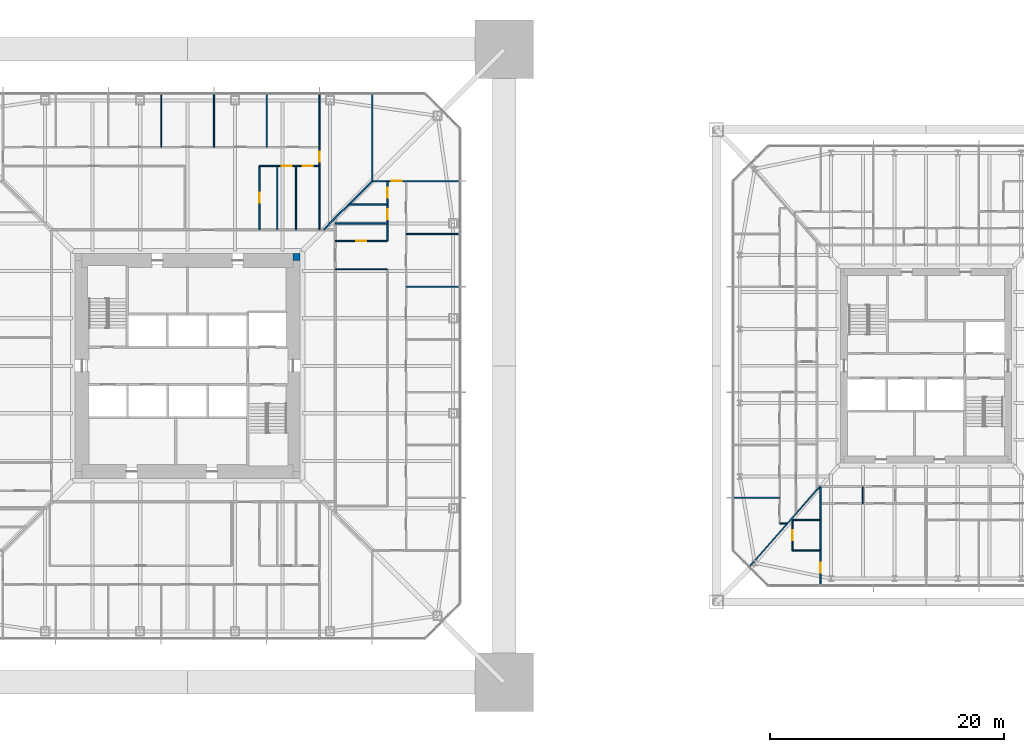
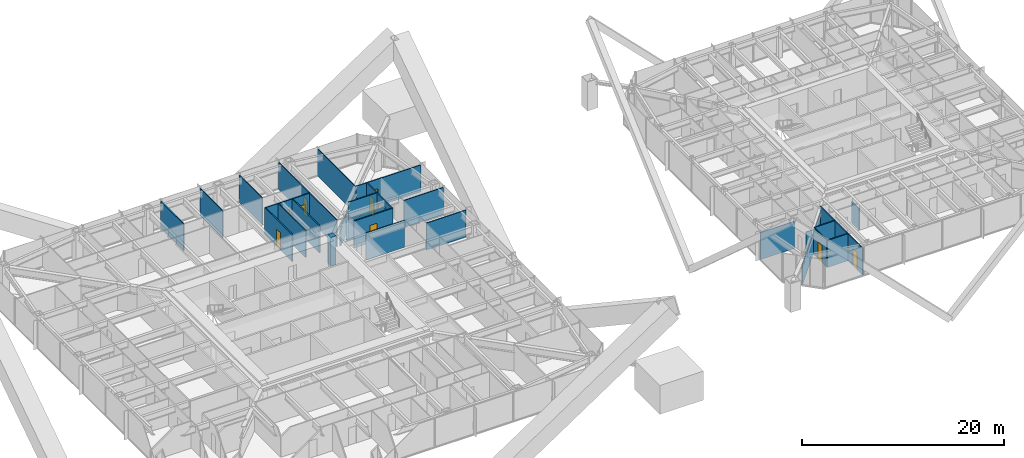
# One storey, part 18 of 27: 27 walls, 10 doors, 10 openings.
"""IFC4 building model written with IfcOpenShell, lengths in metres."""

from ifc_helpers import new_model, si_unit, direction, frame, frame_2d, origin, place, context, subcontext, project, spatial, rectangle, extrude, material, layer, layer_set, type_object, element, fill, save


model = new_model("IFC4")

# Units and contexts
model_context = context("Model", 3, precision=1e-05, world=origin(), true_north=direction((0.0, 1.0)))
body_context = subcontext(model_context, "Body", "Model", "MODEL_VIEW")
ifc_project = project(units=[si_unit("LENGTHUNIT", "METRE"), si_unit("AREAUNIT", "SQUARE_METRE"), si_unit("VOLUMEUNIT", "CUBIC_METRE"), si_unit("PLANEANGLEUNIT", "RADIAN"), si_unit("MASSUNIT", "GRAM", prefix="KILO")], contexts=[model_context])

# Site, building, storey
site_placement = place(None, origin())
site = spatial("IfcSite", under=ifc_project, at=site_placement, CompositionType="ELEMENT")
building_placement = place(site_placement, origin())
building = spatial("IfcBuilding", under=site, at=building_placement, Name="Iwan Alto Co-Living Towers", CompositionType="ELEMENT")
storey_placement = place(building_placement, frame((0.0, 0.0, 25.5)))
storey = spatial("IfcBuildingStorey", under=building, at=storey_placement, Name="L06", CompositionType="ELEMENT", Elevation=25.5)

# Walls
ifc_material_1 = material(Name="Gypsum board")
ifc_layer_1 = layer(ifc_material_1, 0.012451171875, Name="Board", Category="Finish")
ifc_material_2 = material(Name="Steel ASTM A1003 ST33H cold-formed studs", Category="steel")
ifc_layer_2 = layer(ifc_material_2, 0.074951171875, Name="Studs", Category="Framing")
ifc_layer_3 = layer(ifc_material_1, 0.012451171875, Name="Board", Category="Finish")
ifc_layer_set_1 = layer_set([ifc_layer_1, ifc_layer_2, ifc_layer_3], Name="PARTITION 100")
wall_type_1 = type_object("IfcWallType", Name="PARTITION 100", PredefinedType="PARTITIONING", material=ifc_layer_set_1)
wall_1_placement = place(storey_placement, frame((50.5, -13.449951171875, 0.0), z_axis=(0.0, 0.0, 1.0), x_axis=(1.0, 0.0, 0.0)))
element("IfcWall", 1, at=wall_1_placement, inside=storey, type_object=wall_type_1, Name="Partition L06", PredefinedType="PARTITIONING", context=body_context, shape_type="SweptSolid", body=[
    extrude(rectangle(XDim=0.6640625, YDim=0.10009765625, at=frame_2d((0.33203125, 0.0))), origin(), (0.0, 0.0, 1.0), 3.27001953125),
])
wall_2_placement = place(storey_placement, frame((46.56005859375, -11.25, 0.0), z_axis=(0.0, 0.0, 1.0), x_axis=(1.0, 0.0, 0.0)))
element("IfcWall", 2, at=wall_2_placement, inside=storey, type_object=wall_type_1, Name="Partition L06", PredefinedType="PARTITIONING", context=body_context, shape_type="SweptSolid", body=[
    extrude(rectangle(XDim=3.93994140625, YDim=0.10009765625, at=frame_2d((1.969970703125, 0.0))), origin(), (0.0, 0.0, 1.0), 3.27001953125),
])
wall_3_placement = place(storey_placement, frame((18.64990234375, 6.75, 0.0), z_axis=(0.0, 0.0, 1.0), x_axis=(1.0, 0.0, 0.0)))
element("IfcWall", 3, at=wall_3_placement, inside=storey, type_object=wall_type_1, Name="Partition L06", PredefinedType="PARTITIONING", context=body_context, shape_type="SweptSolid", body=[
    extrude(rectangle(XDim=4.5400390625, YDim=0.10009765625, at=frame_2d((2.27001953125, 0.0))), origin(), (0.0, 0.0, 1.0), 3.27001953125),
])
wall_4_placement = place(storey_placement, frame((12.60009765625, 8.25, 0.0), z_axis=(0.0, 0.0, 1.0), x_axis=(1.0, 0.0, 0.0)))
element("IfcWall", 4, at=wall_4_placement, inside=storey, type_object=wall_type_1, Name="Partition L06", PredefinedType="PARTITIONING", context=body_context, shape_type="SweptSolid", body=[
    extrude(rectangle(XDim=4.449951171875, YDim=0.10009765625, at=frame_2d((2.22509765625, 0.0))), origin(), (0.0, 0.0, 1.0), 3.27001953125),
])
wall_5_placement = place(storey_placement, frame((18.64990234375, 11.25, 0.0), z_axis=(0.0, 0.0, 1.0), x_axis=(1.0, 0.0, 0.0)))
element("IfcWall", 5, at=wall_5_placement, inside=storey, type_object=wall_type_1, Name="Partition L06", PredefinedType="PARTITIONING", context=body_context, shape_type="SweptSolid", body=[
    extrude(rectangle(XDim=4.5400390625, YDim=0.10009765625, at=frame_2d((2.27001953125, 0.0))), origin(), (0.0, 0.0, 1.0), 3.27001953125),
])

# Wall, opening, door
wall_6_placement = place(storey_placement, frame((15.75, 15.75, 0.0), z_axis=(0.0, 0.0, 1.0), x_axis=(1.0, 0.0, 0.0)))
wall_6 = element("IfcWall", 6, at=wall_6_placement, inside=storey, type_object=wall_type_1, Name="Partition L06", PredefinedType="PARTITIONING", context=body_context, shape_type="SweptSolid", body=[
    extrude(rectangle(XDim=7.43994140625, YDim=0.10009765625, at=frame_2d((3.719970703125, 0.0))), origin(), (0.0, 0.0, 1.0), 3.27001953125),
])
opening_1_placement = place(wall_6_placement, frame((1.675048828125, 0.0, 0.0)))
opening_1 = element("IfcOpeningElement", 7, at=opening_1_placement, cuts=wall_6, Name="Opening D2", PredefinedType="OPENING", context=body_context, shape_type="SweptSolid", body=[
    extrude(rectangle(XDim=0.85009765625, YDim=2.10009765625, at=frame_2d((0.425048828125, 1.050048828125))), frame((0.0, 0.06005859375, 0.0), z_axis=(0.0, -1.0, 0.0), x_axis=(1.0, 0.0, 0.0)), (0.0, 0.0, 1.0), 0.1201171875),
])
ifc_material_3 = material(Name="Timber leaf in steel frame", Category="steel")
door_type = type_object("IfcDoorType", Name="ROOM DOOR 850X2100", OperationType="SINGLE_SWING_LEFT", PredefinedType="DOOR", material=ifc_material_3)
door_1_placement = place(opening_1_placement, frame((0.85009765625, 0.0, 0.0), z_axis=(0.0, 0.0, 1.0), x_axis=(-1.0, 0.0, 0.0)))
door_1 = element("IfcDoor", 8, at=door_1_placement, inside=storey, type_object=door_type, Name="Shared kitchen and lounge door L06", OperationType="SINGLE_SWING_RIGHT", OverallHeight=2.10009765625, OverallWidth=0.85009765625, PredefinedType="DOOR", context=body_context, shape_type="SweptSolid", body=[
    extrude(rectangle(XDim=0.85009765625, YDim=2.10009765625, at=frame_2d((0.425048828125, 1.050048828125))), frame((0.0, 0.02490234375, 0.0), z_axis=(0.0, -1.0, 0.0), x_axis=(1.0, 0.0, 0.0)), (0.0, 0.0, 1.0), 0.050048828125),
])
fill(opening_1, door_1)

# Walls
wall_7_placement = place(storey_placement, frame((47.944091796875, -17.10888671875, 0.0), z_axis=(0.0, 0.0, 1.0), x_axis=(0.660638210404, 0.750704439146, 0.0)))
element("IfcWall", 9, at=wall_7_placement, inside=storey, type_object=wall_type_1, Name="Partition L06", PredefinedType="PARTITIONING", context=body_context, shape_type="SweptSolid", body=[
    extrude(rectangle(XDim=9.06982421875, YDim=0.10009765625, at=frame_2d((4.534912109375, 0.0))), origin(), (0.0, 0.0, 1.0), 2.42919921875),
])
wall_8_placement = place(storey_placement, frame((57.60009765625, -11.75, 0.0), z_axis=(0.0, 0.0, 1.0), x_axis=(0.0, 1.0, 0.0)))
element("IfcWall", 10, at=wall_8_placement, inside=storey, type_object=wall_type_1, Name="Partition L06", PredefinedType="PARTITIONING", context=body_context, shape_type="SweptSolid", body=[
    extrude(rectangle(XDim=1.449951171875, YDim=0.10009765625, at=frame_2d((0.72509765625, 0.0))), origin(), (0.0, 0.0, 1.0), 2.586669921875),
])
wall_9_placement = place(storey_placement, frame((15.75, 15.75, 0.0), z_axis=(0.0, 0.0, 1.0), x_axis=(0.0, 1.0, 0.0)))
element("IfcWall", 11, at=wall_9_placement, inside=storey, type_object=wall_type_1, Name="Partition L06", PredefinedType="PARTITIONING", context=body_context, shape_type="SweptSolid", body=[
    extrude(rectangle(XDim=7.43994140625, YDim=0.10009765625, at=frame_2d((3.719970703125, 0.0))), origin(), (0.0, 0.0, 1.0), 3.27001953125),
])

# Wall, opening, door
wall_10_placement = place(storey_placement, frame((11.25, 11.60009765625, 0.0), z_axis=(0.0, 0.0, 1.0), x_axis=(0.0, 1.0, 0.0)))
wall_10 = element("IfcWall", 12, at=wall_10_placement, inside=storey, type_object=wall_type_1, Name="Partition L06", PredefinedType="PARTITIONING", context=body_context, shape_type="SweptSolid", body=[
    extrude(rectangle(XDim=11.58984375, YDim=0.10009765625, at=frame_2d((5.794921875, 0.0))), origin(), (0.0, 0.0, 1.0), 3.27001953125),
])
opening_2_placement = place(wall_10_placement, frame((5.824951171875, 0.0, 0.0)))
opening_2 = element("IfcOpeningElement", 13, at=opening_2_placement, cuts=wall_10, Name="Opening D2", PredefinedType="OPENING", context=body_context, shape_type="SweptSolid", body=[
    extrude(rectangle(XDim=0.85009765625, YDim=2.10009765625, at=frame_2d((0.425048828125, 1.050048828125))), frame((0.0, 0.06005859375, 0.0), z_axis=(0.0, -1.0, 0.0), x_axis=(1.0, 0.0, 0.0)), (0.0, 0.0, 1.0), 0.1201171875),
])
door_2_placement = place(opening_2_placement, origin())
door_2 = element("IfcDoor", 14, at=door_2_placement, inside=storey, type_object=door_type, Name="Seminar room door L06", OperationType="SINGLE_SWING_LEFT", OverallHeight=2.10009765625, OverallWidth=0.85009765625, PredefinedType="DOOR", context=body_context, shape_type="SweptSolid", body=[
    extrude(rectangle(XDim=0.85009765625, YDim=2.10009765625, at=frame_2d((0.425048828125, 1.050048828125))), frame((0.0, 0.02490234375, 0.0), z_axis=(0.0, -1.0, 0.0), x_axis=(1.0, 0.0, 0.0)), (0.0, 0.0, 1.0), 0.050048828125),
])
fill(opening_2, door_2)

# Walls
for number, where, z_axis, x_axis, name in (
    (15, (6.75, 18.64990234375, 0.0), (0.0, 0.0, 1.0), (0.0, 1.0, 0.0), "Partition L06"),
    (16, (2.25, 18.64990234375, 0.0), (0.0, 0.0, 1.0), (0.0, 1.0, 0.0), "Partition L06"),
    (17, (-2.25, 18.64990234375, 0.0), (0.0, 0.0, 1.0), (0.0, 1.0, 0.0), "Partition L06"),
):
    element("IfcWall", number, at=place(storey_placement, frame(where, z_axis=z_axis, x_axis=x_axis)), inside=storey, type_object=wall_type_1, Name=name, PredefinedType="PARTITIONING", context=body_context, shape_type="SweptSolid", body=[
        extrude(rectangle(XDim=4.5400390625, YDim=0.10009765625, at=frame_2d((2.27001953125, 0.0))), origin(), (0.0, 0.0, 1.0), 3.27001953125),
    ])
ifc_material_4 = material(Name="Concrete f'c 70 MPa", Category="concrete")
ifc_layer_4 = layer(ifc_material_4, 0.60009765625)
ifc_layer_set_2 = layer_set([ifc_layer_4], Name="T1 CORE CORNER FILL 600")
wall_type_2 = type_object("IfcWallType", Name="T1 CORE CORNER FILL 600", PredefinedType="SOLIDWALL", material=ifc_layer_set_2)
wall_11_placement = place(storey_placement, frame((9.0, 9.300048828125, 0.0), z_axis=(0.0, 0.0, 1.0), x_axis=(1.0, 0.0, 0.0)))
element("IfcWall", 18, at=wall_11_placement, inside=storey, type_object=wall_type_2, Name="T1 core corner NE L06", PredefinedType="SOLIDWALL", context=body_context, shape_type="SweptSolid", body=[
    extrude(rectangle(XDim=0.60009765625, YDim=0.60009765625, at=frame_2d((0.300048828125, 0.0))), origin(), (0.0, 0.0, 1.0), 3.5),
])
ifc_material_5 = material(Name="Cement board")
ifc_layer_5 = layer(ifc_material_5, 0.012451171875, Name="Board", Category="Finish")
ifc_layer_6 = layer(ifc_material_2, 0.094970703125, Name="Studs", Category="Framing")
ifc_layer_7 = layer(ifc_material_5, 0.012451171875, Name="Board", Category="Finish")
ifc_layer_set_3 = layer_set([ifc_layer_5, ifc_layer_6, ifc_layer_7], Name="WET AREA PARTITION 120")
wall_type_3 = type_object("IfcWallType", Name="WET AREA PARTITION 120", PredefinedType="PARTITIONING", material=ifc_layer_set_3)
for number, where, z_axis, x_axis, name in (
    (19, (51.60009765625, -15.75, 0.0), (0.0, 0.0, 1.0), (1.0, 0.0, 0.0), "Partition L06"),
    (20, (51.60009765625, -13.14990234375, 0.0), (0.0, 0.0, 1.0), (1.0, 0.0, 0.0), "Partition L06"),
):
    element("IfcWall", number, at=place(storey_placement, frame(where, z_axis=z_axis, x_axis=x_axis)), inside=storey, type_object=wall_type_3, Name=name, PredefinedType="PARTITIONING", context=body_context, shape_type="SweptSolid", body=[
        extrude(rectangle(XDim=2.39990234375, YDim=0.1201171875, at=frame_2d((1.199951171875, 0.0))), origin(), (0.0, 0.0, 1.0), 3.27001953125),
    ])

# Wall, opening, door
wall_12_placement = place(storey_placement, frame((12.60009765625, 10.64990234375, 0.0), z_axis=(0.0, 0.0, 1.0), x_axis=(1.0, 0.0, 0.0)))
wall_12 = element("IfcWall", 21, at=wall_12_placement, inside=storey, type_object=wall_type_3, Name="Partition L06", PredefinedType="PARTITIONING", context=body_context, shape_type="SweptSolid", body=[
    extrude(rectangle(XDim=4.449951171875, YDim=0.1201171875, at=frame_2d((2.22509765625, 0.0))), origin(), (0.0, 0.0, 1.0), 3.27001953125),
])
opening_3_placement = place(wall_12_placement, frame((1.800048828125, 0.0, 0.0)))
opening_3 = element("IfcOpeningElement", 22, at=opening_3_placement, cuts=wall_12, Name="Opening D2", PredefinedType="OPENING", context=body_context, shape_type="SweptSolid", body=[
    extrude(rectangle(XDim=0.85009765625, YDim=2.10009765625, at=frame_2d((0.425048828125, 1.050048828125))), frame((0.0, 0.070068359375, 0.0), z_axis=(0.0, -1.0, 0.0), x_axis=(1.0, 0.0, 0.0)), (0.0, 0.0, 1.0), 0.14013671875),
])
door_3_placement = place(opening_3_placement, frame((0.85009765625, 0.0, 0.0), z_axis=(0.0, 0.0, 1.0), x_axis=(-1.0, 0.0, 0.0)))
door_3 = element("IfcDoor", 23, at=door_3_placement, inside=storey, type_object=door_type, Name="Bathroom door L06", OperationType="SINGLE_SWING_RIGHT", OverallHeight=2.10009765625, OverallWidth=0.85009765625, PredefinedType="DOOR", context=body_context, shape_type="SweptSolid", body=[
    extrude(rectangle(XDim=0.85009765625, YDim=2.10009765625, at=frame_2d((0.425048828125, 1.050048828125))), frame((0.0, 0.02490234375, 0.0), z_axis=(0.0, -1.0, 0.0), x_axis=(1.0, 0.0, 0.0)), (0.0, 0.0, 1.0), 0.050048828125),
])
fill(opening_3, door_3)

# Walls
wall_13_placement = place(storey_placement, frame((12.60009765625, 12.14990234375, 0.0), z_axis=(0.0, 0.0, 1.0), x_axis=(1.0, 0.0, 0.0)))
element("IfcWall", 24, at=wall_13_placement, inside=storey, type_object=wall_type_3, Name="Partition L06", PredefinedType="PARTITIONING", context=body_context, shape_type="SweptSolid", body=[
    extrude(rectangle(XDim=4.449951171875, YDim=0.1201171875, at=frame_2d((2.22509765625, 0.0))), origin(), (0.0, 0.0, 1.0), 2.508056640625),
])
wall_14_placement = place(storey_placement, frame((13.75, 13.75, 0.0), z_axis=(0.0, 0.0, 1.0), x_axis=(1.0, 0.0, 0.0)))
element("IfcWall", 25, at=wall_14_placement, inside=storey, type_object=wall_type_3, Name="Partition L06", PredefinedType="PARTITIONING", context=body_context, shape_type="SweptSolid", body=[
    extrude(rectangle(XDim=3.300048828125, YDim=0.1201171875, at=frame_2d((1.64990234375, 0.0))), origin(), (0.0, 0.0, 1.0), 3.27001953125),
])

# Wall, openings, doors
wall_15_placement = place(storey_placement, frame((6.14990234375, 17.050048828125, 0.0), z_axis=(0.0, 0.0, 1.0), x_axis=(1.0, 0.0, 0.0)))
wall_15 = element("IfcWall", 26, at=wall_15_placement, inside=storey, type_object=wall_type_3, Name="Partition L06", PredefinedType="PARTITIONING", context=body_context, shape_type="SweptSolid", body=[
    extrude(rectangle(XDim=5.10009765625, YDim=0.1201171875, at=frame_2d((2.550048828125, 0.0))), origin(), (0.0, 0.0, 1.0), 3.27001953125),
])
opening_4_placement = place(wall_15_placement, frame((3.675048828125, 0.0, 0.0)))
opening_4 = element("IfcOpeningElement", 27, at=opening_4_placement, cuts=wall_15, Name="Opening D2", PredefinedType="OPENING", context=body_context, shape_type="SweptSolid", body=[
    extrude(rectangle(XDim=0.85009765625, YDim=2.10009765625, at=frame_2d((0.425048828125, 1.050048828125))), frame((0.0, 0.070068359375, 0.0), z_axis=(0.0, -1.0, 0.0), x_axis=(1.0, 0.0, 0.0)), (0.0, 0.0, 1.0), 0.14013671875),
])
opening_5_placement = place(wall_15_placement, frame((1.875, 0.0, 0.0)))
opening_5 = element("IfcOpeningElement", 28, at=opening_5_placement, cuts=wall_15, Name="Opening D2", PredefinedType="OPENING", context=body_context, shape_type="SweptSolid", body=[
    extrude(rectangle(XDim=0.85009765625, YDim=2.10009765625, at=frame_2d((0.425048828125, 1.050048828125))), frame((0.0, 0.070068359375, 0.0), z_axis=(0.0, -1.0, 0.0), x_axis=(1.0, 0.0, 0.0)), (0.0, 0.0, 1.0), 0.14013671875),
])
door_4_placement = place(opening_4_placement, origin())
door_4 = element("IfcDoor", 29, at=door_4_placement, inside=storey, type_object=door_type, Name="Laundry door L06", OperationType="SINGLE_SWING_RIGHT", OverallHeight=2.10009765625, OverallWidth=0.85009765625, PredefinedType="DOOR", context=body_context, shape_type="SweptSolid", body=[
    extrude(rectangle(XDim=0.85009765625, YDim=2.10009765625, at=frame_2d((0.425048828125, 1.050048828125))), frame((0.0, 0.02490234375, 0.0), z_axis=(0.0, -1.0, 0.0), x_axis=(1.0, 0.0, 0.0)), (0.0, 0.0, 1.0), 0.050048828125),
])
fill(opening_4, door_4)
door_5_placement = place(opening_5_placement, origin())
door_5 = element("IfcDoor", 30, at=door_5_placement, inside=storey, type_object=door_type, Name="Accessible bathroom door L06", OperationType="SINGLE_SWING_RIGHT", OverallHeight=2.10009765625, OverallWidth=0.85009765625, PredefinedType="DOOR", context=body_context, shape_type="SweptSolid", body=[
    extrude(rectangle(XDim=0.85009765625, YDim=2.10009765625, at=frame_2d((0.425048828125, 1.050048828125))), frame((0.0, 0.02490234375, 0.0), z_axis=(0.0, -1.0, 0.0), x_axis=(1.0, 0.0, 0.0)), (0.0, 0.0, 1.0), 0.050048828125),
])
fill(opening_5, door_5)

# Wall
wall_16_placement = place(storey_placement, frame((11.60009765625, 11.60009765625, 0.0), z_axis=(0.0, 0.0, 1.0), x_axis=(0.707106781187, 0.707106781187, 0.0)))
element("IfcWall", 31, at=wall_16_placement, inside=storey, type_object=wall_type_3, Name="Partition L06", PredefinedType="PARTITIONING", context=body_context, shape_type="SweptSolid", body=[
    extrude(rectangle(XDim=5.868896484375, YDim=0.1201171875, at=frame_2d((2.9345703125, 0.0))), origin(), (0.0, 0.0, 1.0), 2.343017578125),
])

# Wall, opening, door
wall_17_placement = place(storey_placement, frame((54.0, -18.68994140625, 0.0), z_axis=(0.0, 0.0, 1.0), x_axis=(0.0, 1.0, 0.0)))
wall_17 = element("IfcWall", 32, at=wall_17_placement, inside=storey, type_object=wall_type_3, Name="Partition L06", PredefinedType="PARTITIONING", context=body_context, shape_type="SweptSolid", body=[
    extrude(rectangle(XDim=8.389892578125, YDim=0.1201171875, at=frame_2d((4.19482421875, 0.0))), origin(), (0.0, 0.0, 1.0), 3.27001953125),
])
opening_6_placement = place(wall_17_placement, frame((1.044921875, 0.0, 0.0)))
opening_6 = element("IfcOpeningElement", 33, at=opening_6_placement, cuts=wall_17, Name="Opening D2", PredefinedType="OPENING", context=body_context, shape_type="SweptSolid", body=[
    extrude(rectangle(XDim=0.85009765625, YDim=2.10009765625, at=frame_2d((0.425048828125, 1.050048828125))), frame((0.0, 0.070068359375, 0.0), z_axis=(0.0, -1.0, 0.0), x_axis=(1.0, 0.0, 0.0)), (0.0, 0.0, 1.0), 0.14013671875),
])
door_6_placement = place(opening_6_placement, frame((0.85009765625, 0.0, 0.0), z_axis=(0.0, 0.0, 1.0), x_axis=(-1.0, 0.0, 0.0)))
door_6 = element("IfcDoor", 34, at=door_6_placement, inside=storey, type_object=door_type, Name="Bedroom door L06", OperationType="SINGLE_SWING_RIGHT", OverallHeight=2.10009765625, OverallWidth=0.85009765625, PredefinedType="DOOR", context=body_context, shape_type="SweptSolid", body=[
    extrude(rectangle(XDim=0.85009765625, YDim=2.10009765625, at=frame_2d((0.425048828125, 1.050048828125))), frame((0.0, 0.02490234375, 0.0), z_axis=(0.0, -1.0, 0.0), x_axis=(1.0, 0.0, 0.0)), (0.0, 0.0, 1.0), 0.050048828125),
])
fill(opening_6, door_6)

wall_18_placement = place(storey_placement, frame((51.60009765625, -15.75, 0.0), z_axis=(0.0, 0.0, 1.0), x_axis=(0.0, 1.0, 0.0)))
wall_18 = element("IfcWall", 35, at=wall_18_placement, inside=storey, type_object=wall_type_3, Name="Partition L06", PredefinedType="PARTITIONING", context=body_context, shape_type="SweptSolid", body=[
    extrude(rectangle(XDim=2.60009765625, YDim=0.1201171875, at=frame_2d((1.300048828125, 0.0))), origin(), (0.0, 0.0, 1.0), 3.27001953125),
])
opening_7_placement = place(wall_18_placement, frame((0.875, 0.0, 0.0)))
opening_7 = element("IfcOpeningElement", 36, at=opening_7_placement, cuts=wall_18, Name="Opening D2", PredefinedType="OPENING", context=body_context, shape_type="SweptSolid", body=[
    extrude(rectangle(XDim=0.85009765625, YDim=2.10009765625, at=frame_2d((0.425048828125, 1.050048828125))), frame((0.0, 0.070068359375, 0.0), z_axis=(0.0, -1.0, 0.0), x_axis=(1.0, 0.0, 0.0)), (0.0, 0.0, 1.0), 0.14013671875),
])
door_7_placement = place(opening_7_placement, origin())
door_7 = element("IfcDoor", 37, at=door_7_placement, inside=storey, type_object=door_type, Name="En-suite shower room door L06", OperationType="SINGLE_SWING_RIGHT", OverallHeight=2.10009765625, OverallWidth=0.85009765625, PredefinedType="DOOR", context=body_context, shape_type="SweptSolid", body=[
    extrude(rectangle(XDim=0.85009765625, YDim=2.10009765625, at=frame_2d((0.425048828125, 1.050048828125))), frame((0.0, 0.02490234375, 0.0), z_axis=(0.0, -1.0, 0.0), x_axis=(1.0, 0.0, 0.0)), (0.0, 0.0, 1.0), 0.050048828125),
])
fill(opening_7, door_7)

# Wall, openings, doors
wall_19_placement = place(storey_placement, frame((17.050048828125, 10.64990234375, 0.0), z_axis=(0.0, 0.0, 1.0), x_axis=(0.0, 1.0, 0.0)))
wall_19 = element("IfcWall", 38, at=wall_19_placement, inside=storey, type_object=wall_type_3, Name="Partition L06", PredefinedType="PARTITIONING", context=body_context, shape_type="SweptSolid", body=[
    extrude(rectangle(XDim=5.10009765625, YDim=0.1201171875, at=frame_2d((2.550048828125, 0.0))), origin(), (0.0, 0.0, 1.0), 3.27001953125),
])
opening_8_placement = place(wall_19_placement, frame((1.875, 0.0, 0.0)))
opening_8 = element("IfcOpeningElement", 39, at=opening_8_placement, cuts=wall_19, Name="Opening D2", PredefinedType="OPENING", context=body_context, shape_type="SweptSolid", body=[
    extrude(rectangle(XDim=0.85009765625, YDim=2.10009765625, at=frame_2d((0.425048828125, 1.050048828125))), frame((0.0, 0.070068359375, 0.0), z_axis=(0.0, -1.0, 0.0), x_axis=(1.0, 0.0, 0.0)), (0.0, 0.0, 1.0), 0.14013671875),
])
opening_9_placement = place(wall_19_placement, frame((3.675048828125, 0.0, 0.0)))
opening_9 = element("IfcOpeningElement", 40, at=opening_9_placement, cuts=wall_19, Name="Opening D2", PredefinedType="OPENING", context=body_context, shape_type="SweptSolid", body=[
    extrude(rectangle(XDim=0.85009765625, YDim=2.10009765625, at=frame_2d((0.425048828125, 1.050048828125))), frame((0.0, 0.070068359375, 0.0), z_axis=(0.0, -1.0, 0.0), x_axis=(1.0, 0.0, 0.0)), (0.0, 0.0, 1.0), 0.14013671875),
])
door_8_placement = place(opening_8_placement, frame((0.85009765625, 0.0, 0.0), z_axis=(0.0, 0.0, 1.0), x_axis=(-1.0, 0.0, 0.0)))
door_8 = element("IfcDoor", 41, at=door_8_placement, inside=storey, type_object=door_type, Name="Bathroom door L06", OperationType="SINGLE_SWING_LEFT", OverallHeight=2.10009765625, OverallWidth=0.85009765625, PredefinedType="DOOR", context=body_context, shape_type="SweptSolid", body=[
    extrude(rectangle(XDim=0.85009765625, YDim=2.10009765625, at=frame_2d((0.425048828125, 1.050048828125))), frame((0.0, 0.02490234375, 0.0), z_axis=(0.0, -1.0, 0.0), x_axis=(1.0, 0.0, 0.0)), (0.0, 0.0, 1.0), 0.050048828125),
])
fill(opening_8, door_8)
door_9_placement = place(opening_9_placement, frame((0.85009765625, 0.0, 0.0), z_axis=(0.0, 0.0, 1.0), x_axis=(-1.0, 0.0, 0.0)))
door_9 = element("IfcDoor", 42, at=door_9_placement, inside=storey, type_object=door_type, Name="Laundry door L06", OperationType="SINGLE_SWING_LEFT", OverallHeight=2.10009765625, OverallWidth=0.85009765625, PredefinedType="DOOR", context=body_context, shape_type="SweptSolid", body=[
    extrude(rectangle(XDim=0.85009765625, YDim=2.10009765625, at=frame_2d((0.425048828125, 1.050048828125))), frame((0.0, 0.02490234375, 0.0), z_axis=(0.0, -1.0, 0.0), x_axis=(1.0, 0.0, 0.0)), (0.0, 0.0, 1.0), 0.050048828125),
])
fill(opening_9, door_9)

# Walls
for number, where, z_axis, x_axis, name in (
    (43, (9.25, 11.60009765625, 0.0), (0.0, 0.0, 1.0), (0.0, 1.0, 0.0), "Partition L06"),
    (44, (7.64990234375, 11.60009765625, 0.0), (0.0, 0.0, 1.0), (0.0, 1.0, 0.0), "Partition L06"),
):
    element("IfcWall", number, at=place(storey_placement, frame(where, z_axis=z_axis, x_axis=x_axis)), inside=storey, type_object=wall_type_3, Name=name, PredefinedType="PARTITIONING", context=body_context, shape_type="SweptSolid", body=[
        extrude(rectangle(XDim=5.449951171875, YDim=0.1201171875, at=frame_2d((2.72509765625, 0.0))), origin(), (0.0, 0.0, 1.0), 3.27001953125),
    ])

# Wall, opening, door
wall_20_placement = place(storey_placement, frame((6.14990234375, 11.60009765625, 0.0), z_axis=(0.0, 0.0, 1.0), x_axis=(0.0, 1.0, 0.0)))
wall_20 = element("IfcWall", 45, at=wall_20_placement, inside=storey, type_object=wall_type_3, Name="Partition L06", PredefinedType="PARTITIONING", context=body_context, shape_type="SweptSolid", body=[
    extrude(rectangle(XDim=5.449951171875, YDim=0.1201171875, at=frame_2d((2.72509765625, 0.0))), origin(), (0.0, 0.0, 1.0), 3.27001953125),
])
opening_10_placement = place(wall_20_placement, frame((2.300048828125, 0.0, 0.0)))
opening_10 = element("IfcOpeningElement", 46, at=opening_10_placement, cuts=wall_20, Name="Opening D2", PredefinedType="OPENING", context=body_context, shape_type="SweptSolid", body=[
    extrude(rectangle(XDim=0.85009765625, YDim=2.10009765625, at=frame_2d((0.425048828125, 1.050048828125))), frame((0.0, 0.070068359375, 0.0), z_axis=(0.0, -1.0, 0.0), x_axis=(1.0, 0.0, 0.0)), (0.0, 0.0, 1.0), 0.14013671875),
])
door_10_placement = place(opening_10_placement, origin())
door_10 = element("IfcDoor", 47, at=door_10_placement, inside=storey, type_object=door_type, Name="Bathroom door L06", OperationType="SINGLE_SWING_LEFT", OverallHeight=2.10009765625, OverallWidth=0.85009765625, PredefinedType="DOOR", context=body_context, shape_type="SweptSolid", body=[
    extrude(rectangle(XDim=0.85009765625, YDim=2.10009765625, at=frame_2d((0.425048828125, 1.050048828125))), frame((0.0, 0.02490234375, 0.0), z_axis=(0.0, -1.0, 0.0), x_axis=(1.0, 0.0, 0.0)), (0.0, 0.0, 1.0), 0.050048828125),
])
fill(opening_10, door_10)

save(model, "model.ifc")
